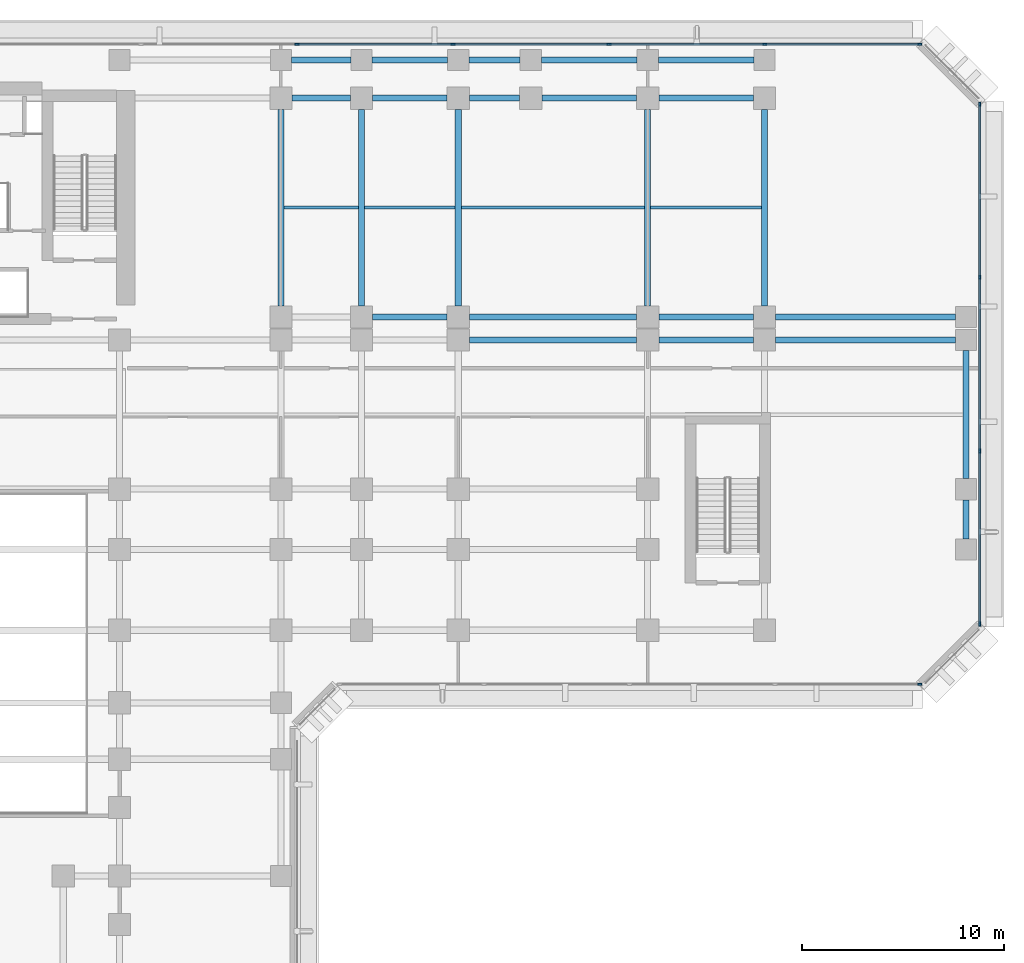
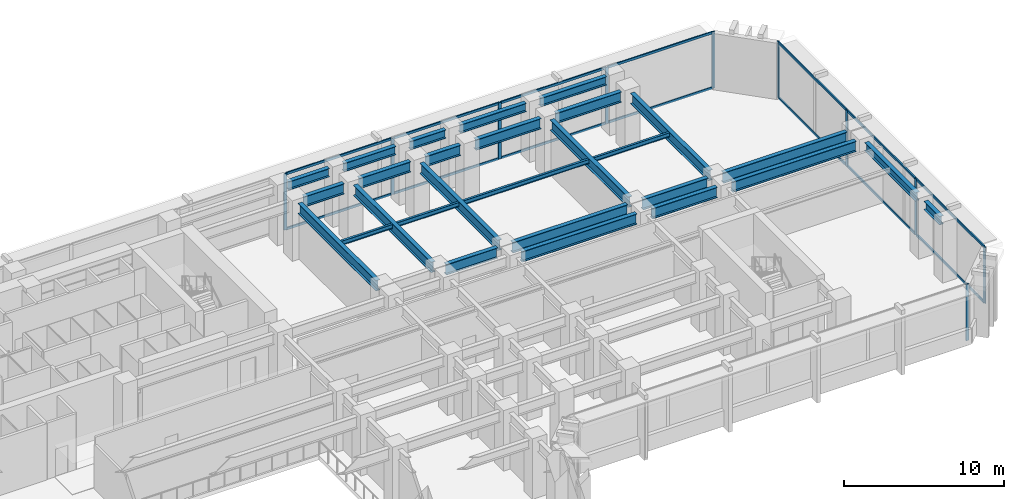
# One storey, part 5 of 16: 28 beams, 24 members, 3 elements without a shape of their own.
"""IFC4 building model written with IfcOpenShell, lengths in metres."""

import ifcopenshell
import ifcopenshell.guid

model = None  # the IFC model being written
_history = None  # IfcOwnerHistory: only IFC2X3 demands one
_inside = {}  # id of a spatial element -> (the spatial element, [elements in it])
_under = {}  # id of a project, library or spatial element -> (it, [spatial elements below it])
_declared = {}  # id of a project -> (the project, [libraries it declares])
_typed = {}  # id of a type object -> (the type object, [elements of that type])
_made_of = {}  # id of a material, layer set ... -> (it, [elements and type objects made of it])


def new_model(schema):
    """Start an empty IFC model of exactly this schema.

    Asked for "IFC4X3", IfcOpenShell would pick the latest addendum, in which some entities
    have other attributes; the version numbers below select the first issue.
    IFC2X3 requires an IfcOwnerHistory on every rooted entity: one is made here for all.
    """
    global model, _history
    if schema == "IFC4X3":
        model = ifcopenshell.file(schema_version=(4, 3, 0, 0))
    else:
        model = ifcopenshell.file(schema=schema)
    _inside.clear()
    _under.clear()
    _declared.clear()
    _typed.clear()
    _made_of.clear()
    _history = None
    if model.schema == "IFC2X3":
        org = make("IfcOrganization", Name="unknown")
        user = make(
            "IfcPersonAndOrganization",
            ThePerson=make("IfcPerson", FamilyName="unknown"),
            TheOrganization=org,
        )
        app = make(
            "IfcApplication",
            ApplicationDeveloper=org,
            Version="unknown",
            ApplicationFullName="unknown",
            ApplicationIdentifier="unknown",
        )
        _history = make(
            "IfcOwnerHistory",
            OwningUser=user,
            OwningApplication=app,
            ChangeAction="ADDED",
            CreationDate=0,
        )
    return model


def make(cls, **values):
    """One entity of the class cls with the attributes given. An attribute that is None is left unset."""
    return model.create_entity(
        cls, **{name: value for name, value in values.items() if value is not None}
    )


def rooted(cls, **values):
    """An entity with a GlobalId (a new one), such as an element, a storey or a relation."""
    return make(cls, GlobalId=ifcopenshell.guid.new(), OwnerHistory=_history, **values)


def si_unit(unit_type, name, prefix=None):
    """IfcSIUnit, for example si_unit("LENGTHUNIT", "METRE", prefix="MILLI")."""
    return make("IfcSIUnit", UnitType=unit_type, Prefix=prefix, Name=name)


def assignment(units):
    """IfcUnitAssignment: the units of a project."""
    return None if units is None else make("IfcUnitAssignment", Units=units)


def point(xyz):
    """IfcCartesianPoint."""
    return None if xyz is None else make("IfcCartesianPoint", Coordinates=xyz)


def direction(xyz):
    """IfcDirection."""
    return None if xyz is None else make("IfcDirection", DirectionRatios=xyz)


def frame(location, z_axis=None, x_axis=None):
    """IfcAxis2Placement3D, a coordinate frame: its origin and axes. An axis left out is left unset."""
    return make(
        "IfcAxis2Placement3D",
        Location=point(location),
        Axis=direction(z_axis),
        RefDirection=direction(x_axis),
    )


def frame_2d(location, x_axis=None):
    """IfcAxis2Placement2D, a coordinate frame in the plane: its origin and x axis."""
    return make(
        "IfcAxis2Placement2D", Location=point(location), RefDirection=direction(x_axis)
    )


def origin():
    """The frame at (0, 0, 0) with its axes left unset."""
    return frame((0.0, 0.0, 0.0))


def origin_2d():
    """The frame at (0, 0) in the plane with its x axis left unset."""
    return frame_2d((0.0, 0.0))


def place(relative_to, where):
    """IfcLocalPlacement: puts the frame where relative to a parent placement (None: the world)."""
    return make(
        "IfcLocalPlacement", PlacementRelTo=relative_to, RelativePlacement=where
    )


def context(
    kind, dimensions, precision=None, world=None, true_north=None, identifier=None
):
    """IfcGeometricRepresentationContext, for example the 3D "Model" context."""
    return make(
        "IfcGeometricRepresentationContext",
        ContextIdentifier=identifier,
        ContextType=kind,
        CoordinateSpaceDimension=dimensions,
        Precision=precision,
        WorldCoordinateSystem=world,
        TrueNorth=true_north,
    )


def subcontext(parent, identifier, kind, view, scale=None):
    """IfcGeometricRepresentationSubContext, for example "Body" below "Model"."""
    return make(
        "IfcGeometricRepresentationSubContext",
        ContextIdentifier=identifier,
        ContextType=kind,
        ParentContext=parent,
        TargetScale=scale,
        TargetView=view,
    )


def project(units=None, contexts=None):
    """IfcProject with its units and contexts."""
    return rooted(
        "IfcProject",
        Name="project",
        RepresentationContexts=contexts,
        UnitsInContext=assignment(units),
    )


def spatial(cls, under=None, at=None, **own):
    """A site, building, storey or space (cls), placed at a placement, below another one or the project."""
    s = rooted(cls, ObjectPlacement=at, **own)
    if under is not None:
        _under.setdefault(under.id(), (under, []))[1].append(s)
    return s


def profile(cls, at=None, kind="AREA", **sizes):
    """A parametric profile (cls). Its sizes go by their IFC names, for example OverallWidth=200.0."""
    return make(cls, ProfileType=kind, Position=at, **sizes)


def rectangle(**sizes):
    """IfcRectangleProfileDef."""
    return profile("IfcRectangleProfileDef", **sizes)


def i_section(**sizes):
    """IfcIShapeProfileDef."""
    return profile("IfcIShapeProfileDef", **sizes)


def extrude(swept, where, along, depth):
    """IfcExtrudedAreaSolid: the profile swept, set in the frame where, extruded along a direction by depth."""
    return make(
        "IfcExtrudedAreaSolid",
        SweptArea=swept,
        Position=where,
        ExtrudedDirection=direction(along),
        Depth=depth,
    )


def shape(context_of_items, identifier, shape_type, items):
    """IfcShapeRepresentation: the items that make up one representation, for example the "Body"."""
    return make(
        "IfcShapeRepresentation",
        ContextOfItems=context_of_items,
        RepresentationIdentifier=identifier,
        RepresentationType=shape_type,
        Items=items,
    )


def material(Name=None, Category=None):
    """IfcMaterial."""
    return make("IfcMaterial", Name=Name, Category=Category)


def layer(
    of_material, thickness, ventilated=None, Name=None, Category=None, Priority=None
):
    """IfcMaterialLayer: one layer of a wall or slab, of a material (None: an air gap)."""
    return make(
        "IfcMaterialLayer",
        Material=of_material,
        LayerThickness=thickness,
        IsVentilated=ventilated,
        Name=Name,
        Category=Category,
        Priority=Priority,
    )


def layer_set(layers, Name=None):
    """IfcMaterialLayerSet."""
    return make("IfcMaterialLayerSet", MaterialLayers=layers, LayerSetName=Name)


def material_profile(
    of_material, cross_section, Name=None, Category=None, Priority=None
):
    """IfcMaterialProfile: a cross section and its material."""
    return make(
        "IfcMaterialProfile",
        Name=Name,
        Material=of_material,
        Profile=cross_section,
        Priority=Priority,
        Category=Category,
    )


def profile_set(profiles, Name=None, composite=None):
    """IfcMaterialProfileSet."""
    return make(
        "IfcMaterialProfileSet",
        Name=Name,
        MaterialProfiles=profiles,
        CompositeProfile=composite,
    )


def made_of(thing, what):
    """Note that an element or type object is made of a material, layer set ...; save() writes the relation."""
    if what is not None:
        _made_of.setdefault(what.id(), (what, []))[1].append(thing)
    return thing


def type_object(cls, material=None, **own):
    """A type object (cls), such as IfcWallType, which elements share."""
    return made_of(rooted(cls, **own), material)


def element(
    cls,
    number,
    at=None,
    inside=None,
    cuts=None,
    type_object=None,
    material=None,
    context=None,
    identifier="Body",
    shape_type=None,
    held_by="IfcProductDefinitionShape",
    body=None,
    shapes=None,
    **own,
):
    """One element of the class cls, such as IfcWall. Its Tag is "e" and its number.

    at: its placement. inside: the storey or other place that contains it. cuts: it is an
    opening in that element (IfcRelVoidsElement). A single representation is given by context,
    identifier, shape_type and body (its items); several are given by shapes. held_by: the class
    of the entity that holds the representations. save() writes the other relations.
    """
    e = rooted(cls, Tag="e%d" % number, ObjectPlacement=at, **own)
    if body is not None:
        shapes = [shape(context, identifier, shape_type, body)]
    if shapes is not None:
        e.Representation = make(held_by, Representations=shapes)
    if inside is not None:
        _inside.setdefault(inside.id(), (inside, []))[1].append(e)
    if cuts is not None:
        rooted(
            "IfcRelVoidsElement", RelatingBuildingElement=cuts, RelatedOpeningElement=e
        )
    if type_object is not None:
        _typed.setdefault(type_object.id(), (type_object, []))[1].append(e)
    return made_of(e, material)


def aggregate(whole, parts):
    """IfcRelAggregates: a whole, such as a stair, and the parts it consists of."""
    return rooted("IfcRelAggregates", RelatingObject=whole, RelatedObjects=parts)


def save(model, path):
    """Write the relations noted so far, then the file.

    IfcRelAggregates (storeys below a building ...), IfcRelContainedInSpatialStructure (elements
    in a storey), IfcRelDefinesByType, IfcRelAssociatesMaterial and IfcRelDeclares: one each for
    every whole, place, type object, material and project.
    """
    for whole, parts in _under.values():
        aggregate(whole, parts)
    for where, things in _inside.values():
        rooted(
            "IfcRelContainedInSpatialStructure",
            RelatedElements=things,
            RelatingStructure=where,
        )
    for kind, things in _typed.values():
        rooted("IfcRelDefinesByType", RelatedObjects=things, RelatingType=kind)
    for what, things in _made_of.values():
        rooted("IfcRelAssociatesMaterial", RelatedObjects=things, RelatingMaterial=what)
    for by, libraries in _declared.values():
        rooted("IfcRelDeclares", RelatingContext=by, RelatedDefinitions=libraries)
    model.write(path)


model = new_model("IFC4")

# Units and contexts
model_context = context("Model", 3, precision=1e-05, world=origin(), true_north=direction((0.0, 1.0)))
body_context = subcontext(model_context, "Body", "Model", "MODEL_VIEW")
ifc_project = project(units=[si_unit("LENGTHUNIT", "METRE"), si_unit("AREAUNIT", "SQUARE_METRE"), si_unit("VOLUMEUNIT", "CUBIC_METRE"), si_unit("PLANEANGLEUNIT", "RADIAN"), si_unit("MASSUNIT", "GRAM", prefix="KILO")], contexts=[model_context])

# Site, building, storey
site_placement = place(None, origin())
site = spatial("IfcSite", under=ifc_project, at=site_placement, CompositionType="ELEMENT")
building_placement = place(site_placement, origin())
building = spatial("IfcBuilding", under=site, at=building_placement, Name="Kefirva Bronze Tower", CompositionType="ELEMENT")
storey_placement = place(building_placement, frame((0.0, 0.0, 16.5)))
storey = spatial("IfcBuildingStorey", under=building, at=storey_placement, Name="L03", CompositionType="ELEMENT", Elevation=16.5)

# Curtain wall, member
ifc_material_1 = material(Name="Bronze anodised aluminium", Category="aluminium")
ifc_layer = layer(ifc_material_1, 0.239990234375, Name="Bronze anodised aluminium")
ifc_layer_set = layer_set([ifc_layer], Name="Bronze anodised aluminium")
curtain_wall_type = type_object("IfcCurtainWallType", Name="Podium Double-Height Glazed Curtain Wall", PredefinedType="USERDEFINED", material=ifc_layer_set)
curtain_wall_1_placement = place(storey_placement, origin())
curtain_wall_1 = element("IfcCurtainWall", 1, at=curtain_wall_1_placement, inside=storey, type_object=curtain_wall_type, Name="L03 Curtain Wall 2", ObjectType="UNITISED CURTAIN WALL", PredefinedType="USERDEFINED")
ifc_material_profile_1 = material_profile(ifc_material_1, rectangle(XDim=0.090087890625, YDim=0.219970703125, at=origin_2d()), Name="ALU 90x220")
ifc_profile_set_1 = profile_set([ifc_material_profile_1], Name="Bronze anodised aluminium")
member_type_1 = type_object("IfcMemberType", Name="Bronze Mullion 90x220", PredefinedType="MULLION", material=ifc_profile_set_1)
member_1_placement = place(storey_placement, frame((62.89990234375, 16.1201171875, 0.0), z_axis=(0.0, 0.0, 1.0), x_axis=(0.0, 1.0, 0.0)))
member_1 = element("IfcMember", 2, at=member_1_placement, type_object=member_type_1, Name="CW-05 mullion 5", PredefinedType="MULLION", context=body_context, shape_type="SweptSolid", body=[
    extrude(rectangle(XDim=0.090087890625, YDim=0.219970703125, at=origin_2d()), origin(), (0.0, 0.0, 1.0), 4.300048828125),
])
aggregate(curtain_wall_1, [member_1])

# Curtain wall, members
curtain_wall_2_placement = place(storey_placement, origin())
curtain_wall_2 = element("IfcCurtainWall", 3, at=curtain_wall_2_placement, inside=storey, type_object=curtain_wall_type, Name="L03 Curtain Wall 3", ObjectType="UNITISED CURTAIN WALL", PredefinedType="USERDEFINED")
member_2_placement = place(storey_placement, frame((65.8798828125, 19.10009765625, 0.0), z_axis=(0.0, 0.0, 1.0), x_axis=(-1.0, 0.0, 0.0)))
member_2 = element("IfcMember", 4, at=member_2_placement, type_object=member_type_1, Name="CW-05 mullion 1", PredefinedType="MULLION", context=body_context, shape_type="SweptSolid", body=[
    extrude(rectangle(XDim=0.090087890625, YDim=0.219970703125, at=origin_2d()), origin(), (0.0, 0.0, 1.0), 4.300048828125),
])
member_3_placement = place(storey_placement, frame((65.8798828125, 27.68505859375, 0.0), z_axis=(0.0, 0.0, 1.0), x_axis=(-1.0, 0.0, 0.0)))
member_3 = element("IfcMember", 5, at=member_3_placement, type_object=member_type_1, Name="CW-05 mullion 2", PredefinedType="MULLION", context=body_context, shape_type="SweptSolid", body=[
    extrude(rectangle(XDim=0.090087890625, YDim=0.219970703125, at=origin_2d()), origin(), (0.0, 0.0, 1.0), 4.300048828125),
])
member_4_placement = place(storey_placement, frame((65.8798828125, 36.31494140625, 0.0), z_axis=(0.0, 0.0, 1.0), x_axis=(-1.0, 0.0, 0.0)))
member_4 = element("IfcMember", 6, at=member_4_placement, type_object=member_type_1, Name="CW-05 mullion 3", PredefinedType="MULLION", context=body_context, shape_type="SweptSolid", body=[
    extrude(rectangle(XDim=0.090087890625, YDim=0.219970703125, at=origin_2d()), origin(), (0.0, 0.0, 1.0), 4.300048828125),
])
member_5_placement = place(storey_placement, frame((65.8798828125, 44.89990234375, 0.0), z_axis=(0.0, 0.0, 1.0), x_axis=(-1.0, 0.0, 0.0)))
member_5 = element("IfcMember", 7, at=member_5_placement, type_object=member_type_1, Name="CW-05 mullion 4", PredefinedType="MULLION", context=body_context, shape_type="SweptSolid", body=[
    extrude(rectangle(XDim=0.090087890625, YDim=0.219970703125, at=origin_2d()), origin(), (0.0, 0.0, 1.0), 4.300048828125),
])

curtain_wall_3_placement = place(storey_placement, origin())
curtain_wall_3 = element("IfcCurtainWall", 8, at=curtain_wall_3_placement, inside=storey, type_object=curtain_wall_type, Name="L03 Curtain Wall 4", ObjectType="UNITISED CURTAIN WALL", PredefinedType="USERDEFINED")
member_6_placement = place(storey_placement, frame((62.89990234375, 47.8798828125, 0.0), z_axis=(0.0, 0.0, 1.0), x_axis=(0.0, -1.0, 0.0)))
member_6 = element("IfcMember", 9, at=member_6_placement, type_object=member_type_1, Name="CW-05 mullion 1", PredefinedType="MULLION", context=body_context, shape_type="SweptSolid", body=[
    extrude(rectangle(XDim=0.090087890625, YDim=0.219970703125, at=origin_2d()), origin(), (0.0, 0.0, 1.0), 4.300048828125),
])
member_7_placement = place(storey_placement, frame((55.208740234375, 47.8798828125, 0.0), z_axis=(0.0, 0.0, 1.0), x_axis=(0.0, -1.0, 0.0)))
member_7 = element("IfcMember", 10, at=member_7_placement, type_object=member_type_1, Name="CW-05 mullion 2", PredefinedType="MULLION", context=body_context, shape_type="SweptSolid", body=[
    extrude(rectangle(XDim=0.090087890625, YDim=0.219970703125, at=origin_2d()), origin(), (0.0, 0.0, 1.0), 4.300048828125),
])
member_8_placement = place(storey_placement, frame((47.472412109375, 47.8798828125, 0.0), z_axis=(0.0, 0.0, 1.0), x_axis=(0.0, -1.0, 0.0)))
member_8 = element("IfcMember", 11, at=member_8_placement, type_object=member_type_1, Name="CW-05 mullion 3", PredefinedType="MULLION", context=body_context, shape_type="SweptSolid", body=[
    extrude(rectangle(XDim=0.090087890625, YDim=0.219970703125, at=origin_2d()), origin(), (0.0, 0.0, 1.0), 4.300048828125),
])
member_9_placement = place(storey_placement, frame((39.736328125, 47.8798828125, 0.0), z_axis=(0.0, 0.0, 1.0), x_axis=(0.0, -1.0, 0.0)))
member_9 = element("IfcMember", 12, at=member_9_placement, type_object=member_type_1, Name="CW-05 mullion 4", PredefinedType="MULLION", context=body_context, shape_type="SweptSolid", body=[
    extrude(rectangle(XDim=0.090087890625, YDim=0.219970703125, at=origin_2d()), origin(), (0.0, 0.0, 1.0), 4.300048828125),
])
member_10_placement = place(storey_placement, frame((32.0, 47.8798828125, 0.0), z_axis=(0.0, 0.0, 1.0), x_axis=(0.0, -1.0, 0.0)))
member_10 = element("IfcMember", 13, at=member_10_placement, type_object=member_type_1, Name="CW-05 mullion 5", PredefinedType="MULLION", context=body_context, shape_type="SweptSolid", body=[
    extrude(rectangle(XDim=0.090087890625, YDim=0.219970703125, at=origin_2d()), origin(), (0.0, 0.0, 1.0), 4.300048828125),
])

# Member
ifc_material_profile_2 = material_profile(ifc_material_1, rectangle(XDim=0.090087890625, YDim=0.179931640625, at=origin_2d()), Name="ALU 90x180")
ifc_profile_set_2 = profile_set([ifc_material_profile_2], Name="Bronze anodised aluminium")
member_type_2 = type_object("IfcMemberType", Name="Bronze Transom 90x180", PredefinedType="USERDEFINED", material=ifc_profile_set_2)
member_11_placement = place(storey_placement, frame((65.8798828125, 19.14501953125, 0.044921875), z_axis=(0.0, 1.0, 0.0), x_axis=(-1.0, 0.0, 0.0)))
member_11 = element("IfcMember", 14, at=member_11_placement, type_object=member_type_2, Name="CW-05 transom 1.1", ObjectType="TRANSOM", PredefinedType="USERDEFINED", context=body_context, shape_type="SweptSolid", body=[
    extrude(rectangle(XDim=0.090087890625, YDim=0.179931640625, at=origin_2d()), origin(), (0.0, 0.0, 1.0), 8.494873046875),
])

member_12_placement = place(storey_placement, frame((65.8798828125, 19.14501953125, 4.2548828125), z_axis=(0.0, 1.0, 0.0), x_axis=(-1.0, 0.0, 0.0)))
member_12 = element("IfcMember", 15, at=member_12_placement, type_object=member_type_2, Name="CW-05 transom 1.2", ObjectType="TRANSOM", PredefinedType="USERDEFINED", context=body_context, shape_type="SweptSolid", body=[
    extrude(rectangle(XDim=0.090087890625, YDim=0.179931640625, at=origin_2d()), origin(), (0.0, 0.0, 1.0), 8.494873046875),
])

member_13_placement = place(storey_placement, frame((65.8798828125, 27.72998046875, 0.044921875), z_axis=(0.0, 1.0, 0.0), x_axis=(-1.0, 0.0, 0.0)))
member_13 = element("IfcMember", 16, at=member_13_placement, type_object=member_type_2, Name="CW-05 transom 2.1", ObjectType="TRANSOM", PredefinedType="USERDEFINED", context=body_context, shape_type="SweptSolid", body=[
    extrude(rectangle(XDim=0.090087890625, YDim=0.179931640625, at=origin_2d()), origin(), (0.0, 0.0, 1.0), 8.5400390625),
])

member_14_placement = place(storey_placement, frame((65.8798828125, 27.72998046875, 4.2548828125), z_axis=(0.0, 1.0, 0.0), x_axis=(-1.0, 0.0, 0.0)))
member_14 = element("IfcMember", 17, at=member_14_placement, type_object=member_type_2, Name="CW-05 transom 2.2", ObjectType="TRANSOM", PredefinedType="USERDEFINED", context=body_context, shape_type="SweptSolid", body=[
    extrude(rectangle(XDim=0.090087890625, YDim=0.179931640625, at=origin_2d()), origin(), (0.0, 0.0, 1.0), 8.5400390625),
])

member_15_placement = place(storey_placement, frame((65.8798828125, 36.360107421875, 0.044921875), z_axis=(0.0, 1.0, 0.0), x_axis=(-1.0, 0.0, 0.0)))
member_15 = element("IfcMember", 18, at=member_15_placement, type_object=member_type_2, Name="CW-05 transom 3.1", ObjectType="TRANSOM", PredefinedType="USERDEFINED", context=body_context, shape_type="SweptSolid", body=[
    extrude(rectangle(XDim=0.090087890625, YDim=0.179931640625, at=origin_2d()), origin(), (0.0, 0.0, 1.0), 8.494873046875),
])

member_16_placement = place(storey_placement, frame((65.8798828125, 36.360107421875, 4.2548828125), z_axis=(0.0, 1.0, 0.0), x_axis=(-1.0, 0.0, 0.0)))
member_16 = element("IfcMember", 19, at=member_16_placement, type_object=member_type_2, Name="CW-05 transom 3.2", ObjectType="TRANSOM", PredefinedType="USERDEFINED", context=body_context, shape_type="SweptSolid", body=[
    extrude(rectangle(XDim=0.090087890625, YDim=0.179931640625, at=origin_2d()), origin(), (0.0, 0.0, 1.0), 8.494873046875),
])

aggregate(curtain_wall_2, [member_2, member_3, member_4, member_5, member_11, member_12, member_13, member_14, member_15, member_16])

member_17_placement = place(storey_placement, frame((62.85498046875, 47.8798828125, 0.044921875), z_axis=(-1.0, 0.0, 0.0), x_axis=(0.0, -1.0, 0.0)))
member_17 = element("IfcMember", 20, at=member_17_placement, type_object=member_type_2, Name="CW-05 transom 1.1", ObjectType="TRANSOM", PredefinedType="USERDEFINED", context=body_context, shape_type="SweptSolid", body=[
    extrude(rectangle(XDim=0.090087890625, YDim=0.179931640625, at=origin_2d()), origin(), (0.0, 0.0, 1.0), 7.601318359375),
])

member_18_placement = place(storey_placement, frame((62.85498046875, 47.8798828125, 4.2548828125), z_axis=(-1.0, 0.0, 0.0), x_axis=(0.0, -1.0, 0.0)))
member_18 = element("IfcMember", 21, at=member_18_placement, type_object=member_type_2, Name="CW-05 transom 1.2", ObjectType="TRANSOM", PredefinedType="USERDEFINED", context=body_context, shape_type="SweptSolid", body=[
    extrude(rectangle(XDim=0.090087890625, YDim=0.179931640625, at=origin_2d()), origin(), (0.0, 0.0, 1.0), 7.601318359375),
])

member_19_placement = place(storey_placement, frame((55.163818359375, 47.8798828125, 0.044921875), z_axis=(-1.0, 0.0, 0.0), x_axis=(0.0, -1.0, 0.0)))
member_19 = element("IfcMember", 22, at=member_19_placement, type_object=member_type_2, Name="CW-05 transom 2.1", ObjectType="TRANSOM", PredefinedType="USERDEFINED", context=body_context, shape_type="SweptSolid", body=[
    extrude(rectangle(XDim=0.090087890625, YDim=0.179931640625, at=origin_2d()), origin(), (0.0, 0.0, 1.0), 7.646240234375),
])

member_20_placement = place(storey_placement, frame((55.163818359375, 47.8798828125, 4.2548828125), z_axis=(-1.0, 0.0, 0.0), x_axis=(0.0, -1.0, 0.0)))
member_20 = element("IfcMember", 23, at=member_20_placement, type_object=member_type_2, Name="CW-05 transom 2.2", ObjectType="TRANSOM", PredefinedType="USERDEFINED", context=body_context, shape_type="SweptSolid", body=[
    extrude(rectangle(XDim=0.090087890625, YDim=0.179931640625, at=origin_2d()), origin(), (0.0, 0.0, 1.0), 7.646240234375),
])

member_21_placement = place(storey_placement, frame((47.427490234375, 47.8798828125, 0.044921875), z_axis=(-1.0, 0.0, 0.0), x_axis=(0.0, -1.0, 0.0)))
member_21 = element("IfcMember", 24, at=member_21_placement, type_object=member_type_2, Name="CW-05 transom 3.1", ObjectType="TRANSOM", PredefinedType="USERDEFINED", context=body_context, shape_type="SweptSolid", body=[
    extrude(rectangle(XDim=0.090087890625, YDim=0.179931640625, at=origin_2d()), origin(), (0.0, 0.0, 1.0), 7.646240234375),
])

member_22_placement = place(storey_placement, frame((47.427490234375, 47.8798828125, 4.2548828125), z_axis=(-1.0, 0.0, 0.0), x_axis=(0.0, -1.0, 0.0)))
member_22 = element("IfcMember", 25, at=member_22_placement, type_object=member_type_2, Name="CW-05 transom 3.2", ObjectType="TRANSOM", PredefinedType="USERDEFINED", context=body_context, shape_type="SweptSolid", body=[
    extrude(rectangle(XDim=0.090087890625, YDim=0.179931640625, at=origin_2d()), origin(), (0.0, 0.0, 1.0), 7.646240234375),
])

member_23_placement = place(storey_placement, frame((39.691162109375, 47.8798828125, 0.044921875), z_axis=(-1.0, 0.0, 0.0), x_axis=(0.0, -1.0, 0.0)))
member_23 = element("IfcMember", 26, at=member_23_placement, type_object=member_type_2, Name="CW-05 transom 4.1", ObjectType="TRANSOM", PredefinedType="USERDEFINED", context=body_context, shape_type="SweptSolid", body=[
    extrude(rectangle(XDim=0.090087890625, YDim=0.179931640625, at=origin_2d()), origin(), (0.0, 0.0, 1.0), 7.646240234375),
])

member_24_placement = place(storey_placement, frame((39.691162109375, 47.8798828125, 4.2548828125), z_axis=(-1.0, 0.0, 0.0), x_axis=(0.0, -1.0, 0.0)))
member_24 = element("IfcMember", 27, at=member_24_placement, type_object=member_type_2, Name="CW-05 transom 4.2", ObjectType="TRANSOM", PredefinedType="USERDEFINED", context=body_context, shape_type="SweptSolid", body=[
    extrude(rectangle(XDim=0.090087890625, YDim=0.179931640625, at=origin_2d()), origin(), (0.0, 0.0, 1.0), 7.646240234375),
])

aggregate(curtain_wall_3, [member_6, member_7, member_8, member_9, member_10, member_17, member_18, member_19, member_20, member_21, member_22, member_23, member_24])

# Beams
ifc_material_2 = material(Name="Steel S355", Category="steel")
ifc_material_profile_3 = material_profile(ifc_material_2, i_section(OverallWidth=0.159912109375, OverallDepth=0.330078125, WebThickness=0.007568359375, FlangeThickness=0.011474609375, at=origin_2d()), Name="IPE 330")
ifc_profile_set_3 = profile_set([ifc_material_profile_3], Name="Steel S355")
beam_type_1 = type_object("IfcBeamType", Name="Steel Floor Joist IPE 330", PredefinedType="JOIST", material=ifc_profile_set_3)
beam_1_placement = place(storey_placement, frame((31.35009765625, 39.77490234375, 4.135009765625), z_axis=(1.0, 0.0, 0.0), x_axis=(0.0, 1.0, 0.0)))
element("IfcBeam", 28, at=beam_1_placement, inside=storey, type_object=beam_type_1, Name="L03 JST-L03-31-397", PredefinedType="JOIST", context=body_context, shape_type="SweptSolid", body=[
    extrude(i_section(OverallWidth=0.159912109375, OverallDepth=0.330078125, WebThickness=0.007568359375, FlangeThickness=0.011474609375, at=origin_2d()), origin(), (0.0, 0.0, 1.0), 3.699951171875),
])
beam_2_placement = place(storey_placement, frame((35.35009765625, 39.77490234375, 4.135009765625), z_axis=(1.0, 0.0, 0.0), x_axis=(0.0, 1.0, 0.0)))
element("IfcBeam", 29, at=beam_2_placement, inside=storey, type_object=beam_type_1, Name="L03 JST-L03-35-397", PredefinedType="JOIST", context=body_context, shape_type="SweptSolid", body=[
    extrude(i_section(OverallWidth=0.159912109375, OverallDepth=0.330078125, WebThickness=0.007568359375, FlangeThickness=0.011474609375, at=origin_2d()), origin(), (0.0, 0.0, 1.0), 4.5),
])
beam_3_placement = place(storey_placement, frame((40.14990234375, 39.77490234375, 4.135009765625), z_axis=(1.0, 0.0, 0.0), x_axis=(0.0, 1.0, 0.0)))
element("IfcBeam", 30, at=beam_3_placement, inside=storey, type_object=beam_type_1, Name="L03 JST-L03-40-397", PredefinedType="JOIST", context=body_context, shape_type="SweptSolid", body=[
    extrude(i_section(OverallWidth=0.159912109375, OverallDepth=0.330078125, WebThickness=0.007568359375, FlangeThickness=0.011474609375, at=origin_2d()), origin(), (0.0, 0.0, 1.0), 9.10009765625),
])
beam_4_placement = place(storey_placement, frame((49.550048828125, 39.77490234375, 4.135009765625), z_axis=(1.0, 0.0, 0.0), x_axis=(0.0, 1.0, 0.0)))
element("IfcBeam", 31, at=beam_4_placement, inside=storey, type_object=beam_type_1, Name="L03 JST-L03-49-397", PredefinedType="JOIST", context=body_context, shape_type="SweptSolid", body=[
    extrude(i_section(OverallWidth=0.159912109375, OverallDepth=0.330078125, WebThickness=0.007568359375, FlangeThickness=0.011474609375, at=origin_2d()), origin(), (0.0, 0.0, 1.0), 5.5),
])
ifc_material_profile_4 = material_profile(ifc_material_2, i_section(OverallWidth=0.300048828125, OverallDepth=0.800048828125, WebThickness=0.017578125, FlangeThickness=0.032958984375, at=origin_2d()), Name="HEB 800")
ifc_profile_set_4 = profile_set([ifc_material_profile_4], Name="Steel S355")
beam_type_2 = type_object("IfcBeamType", Name="Steel Girder HEB 800", PredefinedType="USERDEFINED", material=ifc_profile_set_4)
beam_5_placement = place(storey_placement, frame((40.550048828125, 33.199951171875, 3.89990234375), z_axis=(1.0, 0.0, 0.0), x_axis=(0.0, 1.0, 0.0)))
element("IfcBeam", 32, at=beam_5_placement, inside=storey, type_object=beam_type_2, Name="L03 BM-L03-EW-40-332", ObjectType="GIRDER", PredefinedType="USERDEFINED", context=body_context, shape_type="SweptSolid", body=[
    extrude(i_section(OverallWidth=0.300048828125, OverallDepth=0.800048828125, WebThickness=0.017578125, FlangeThickness=0.032958984375, at=origin_2d()), origin(), (0.0, 0.0, 1.0), 8.300048828125),
])
beam_6_placement = place(storey_placement, frame((49.949951171875, 33.199951171875, 3.89990234375), z_axis=(1.0, 0.0, 0.0), x_axis=(0.0, 1.0, 0.0)))
element("IfcBeam", 33, at=beam_6_placement, inside=storey, type_object=beam_type_2, Name="L03 BM-L03-EW-49-332", ObjectType="GIRDER", PredefinedType="USERDEFINED", context=body_context, shape_type="SweptSolid", body=[
    extrude(i_section(OverallWidth=0.300048828125, OverallDepth=0.800048828125, WebThickness=0.017578125, FlangeThickness=0.032958984375, at=origin_2d()), origin(), (0.0, 0.0, 1.0), 4.699951171875),
])
beam_7_placement = place(storey_placement, frame((55.75, 33.199951171875, 3.89990234375), z_axis=(1.0, 0.0, 0.0), x_axis=(0.0, 1.0, 0.0)))
element("IfcBeam", 34, at=beam_7_placement, inside=storey, type_object=beam_type_2, Name="L03 BM-L03-EW-55-332", ObjectType="GIRDER", PredefinedType="USERDEFINED", context=body_context, shape_type="SweptSolid", body=[
    extrude(i_section(OverallWidth=0.300048828125, OverallDepth=0.800048828125, WebThickness=0.017578125, FlangeThickness=0.032958984375, at=origin_2d()), origin(), (0.0, 0.0, 1.0), 8.925048828125),
])
beam_8_placement = place(storey_placement, frame((35.75, 34.35009765625, 3.89990234375), z_axis=(1.0, 0.0, 0.0), x_axis=(0.0, 1.0, 0.0)))
element("IfcBeam", 35, at=beam_8_placement, inside=storey, type_object=beam_type_2, Name="L03 BM-L03-EW-35-344", ObjectType="GIRDER", PredefinedType="USERDEFINED", context=body_context, shape_type="SweptSolid", body=[
    extrude(i_section(OverallWidth=0.300048828125, OverallDepth=0.800048828125, WebThickness=0.017578125, FlangeThickness=0.032958984375, at=origin_2d()), origin(), (0.0, 0.0, 1.0), 3.699951171875),
])
beam_9_placement = place(storey_placement, frame((40.550048828125, 34.35009765625, 3.89990234375), z_axis=(1.0, 0.0, 0.0), x_axis=(0.0, 1.0, 0.0)))
element("IfcBeam", 36, at=beam_9_placement, inside=storey, type_object=beam_type_2, Name="L03 BM-L03-EW-40-344", ObjectType="GIRDER", PredefinedType="USERDEFINED", context=body_context, shape_type="SweptSolid", body=[
    extrude(i_section(OverallWidth=0.300048828125, OverallDepth=0.800048828125, WebThickness=0.017578125, FlangeThickness=0.032958984375, at=origin_2d()), origin(), (0.0, 0.0, 1.0), 8.300048828125),
])
beam_10_placement = place(storey_placement, frame((49.949951171875, 34.35009765625, 3.89990234375), z_axis=(1.0, 0.0, 0.0), x_axis=(0.0, 1.0, 0.0)))
element("IfcBeam", 37, at=beam_10_placement, inside=storey, type_object=beam_type_2, Name="L03 BM-L03-EW-49-344", ObjectType="GIRDER", PredefinedType="USERDEFINED", context=body_context, shape_type="SweptSolid", body=[
    extrude(i_section(OverallWidth=0.300048828125, OverallDepth=0.800048828125, WebThickness=0.017578125, FlangeThickness=0.032958984375, at=origin_2d()), origin(), (0.0, 0.0, 1.0), 4.699951171875),
])
beam_11_placement = place(storey_placement, frame((55.75, 34.35009765625, 3.89990234375), z_axis=(1.0, 0.0, 0.0), x_axis=(0.0, 1.0, 0.0)))
element("IfcBeam", 38, at=beam_11_placement, inside=storey, type_object=beam_type_2, Name="L03 BM-L03-EW-55-344", ObjectType="GIRDER", PredefinedType="USERDEFINED", context=body_context, shape_type="SweptSolid", body=[
    extrude(i_section(OverallWidth=0.300048828125, OverallDepth=0.800048828125, WebThickness=0.017578125, FlangeThickness=0.032958984375, at=origin_2d()), origin(), (0.0, 0.0, 1.0), 8.925048828125),
])
beam_12_placement = place(storey_placement, frame((31.75, 45.199951171875, 3.89990234375), z_axis=(1.0, 0.0, 0.0), x_axis=(0.0, 1.0, 0.0)))
element("IfcBeam", 39, at=beam_12_placement, inside=storey, type_object=beam_type_2, Name="L03 BM-L03-EW-31-452", ObjectType="GIRDER", PredefinedType="USERDEFINED", context=body_context, shape_type="SweptSolid", body=[
    extrude(i_section(OverallWidth=0.300048828125, OverallDepth=0.800048828125, WebThickness=0.017578125, FlangeThickness=0.032958984375, at=origin_2d()), origin(), (0.0, 0.0, 1.0), 2.89990234375),
])
beam_13_placement = place(storey_placement, frame((35.75, 45.199951171875, 3.89990234375), z_axis=(1.0, 0.0, 0.0), x_axis=(0.0, 1.0, 0.0)))
element("IfcBeam", 40, at=beam_13_placement, inside=storey, type_object=beam_type_2, Name="L03 BM-L03-EW-35-452", ObjectType="GIRDER", PredefinedType="USERDEFINED", context=body_context, shape_type="SweptSolid", body=[
    extrude(i_section(OverallWidth=0.300048828125, OverallDepth=0.800048828125, WebThickness=0.017578125, FlangeThickness=0.032958984375, at=origin_2d()), origin(), (0.0, 0.0, 1.0), 3.699951171875),
])
beam_14_placement = place(storey_placement, frame((40.550048828125, 45.199951171875, 3.89990234375), z_axis=(1.0, 0.0, 0.0), x_axis=(0.0, 1.0, 0.0)))
element("IfcBeam", 41, at=beam_14_placement, inside=storey, type_object=beam_type_2, Name="L03 BM-L03-EW-40-452", ObjectType="GIRDER", PredefinedType="USERDEFINED", context=body_context, shape_type="SweptSolid", body=[
    extrude(i_section(OverallWidth=0.300048828125, OverallDepth=0.800048828125, WebThickness=0.017578125, FlangeThickness=0.032958984375, at=origin_2d()), origin(), (0.0, 0.0, 1.0), 2.5),
])
beam_15_placement = place(storey_placement, frame((44.14990234375, 45.199951171875, 3.89990234375), z_axis=(1.0, 0.0, 0.0), x_axis=(0.0, 1.0, 0.0)))
element("IfcBeam", 42, at=beam_15_placement, inside=storey, type_object=beam_type_2, Name="L03 BM-L03-EW-43-452", ObjectType="GIRDER", PredefinedType="USERDEFINED", context=body_context, shape_type="SweptSolid", body=[
    extrude(i_section(OverallWidth=0.300048828125, OverallDepth=0.800048828125, WebThickness=0.017578125, FlangeThickness=0.032958984375, at=origin_2d()), origin(), (0.0, 0.0, 1.0), 4.7001953125),
])
beam_16_placement = place(storey_placement, frame((49.949951171875, 45.199951171875, 3.89990234375), z_axis=(1.0, 0.0, 0.0), x_axis=(0.0, 1.0, 0.0)))
element("IfcBeam", 43, at=beam_16_placement, inside=storey, type_object=beam_type_2, Name="L03 BM-L03-EW-49-452", ObjectType="GIRDER", PredefinedType="USERDEFINED", context=body_context, shape_type="SweptSolid", body=[
    extrude(i_section(OverallWidth=0.300048828125, OverallDepth=0.800048828125, WebThickness=0.017578125, FlangeThickness=0.032958984375, at=origin_2d()), origin(), (0.0, 0.0, 1.0), 4.699951171875),
])
for number, where, z_axis, x_axis, name in (
    (44, (31.199951171875, 34.89990234375, 3.89990234375), (0.0, 1.0, 0.0), (-1.0, 0.0, 0.0), "L03 BM-L03-NS-312-34"),
    (45, (35.199951171875, 34.89990234375, 3.89990234375), (0.0, 1.0, 0.0), (-1.0, 0.0, 0.0), "L03 BM-L03-NS-352-34"),
    (46, (40.0, 34.89990234375, 3.89990234375), (0.0, 1.0, 0.0), (-1.0, 0.0, 0.0), "L03 BM-L03-NS-400-34"),
    (47, (49.39990234375, 34.89990234375, 3.89990234375), (0.0, 1.0, 0.0), (-1.0, 0.0, 0.0), "L03 BM-L03-NS-494-34"),
    (48, (55.199951171875, 34.89990234375, 3.89990234375), (0.0, 1.0, 0.0), (-1.0, 0.0, 0.0), "L03 BM-L03-NS-552-34"),
):
    element("IfcBeam", number, at=place(storey_placement, frame(where, z_axis=z_axis, x_axis=x_axis)), inside=storey, type_object=beam_type_2, Name=name, ObjectType="GIRDER", PredefinedType="USERDEFINED", context=body_context, shape_type="SweptSolid", body=[
        extrude(i_section(OverallWidth=0.300048828125, OverallDepth=0.800048828125, WebThickness=0.017578125, FlangeThickness=0.032958984375, at=origin_2d()), origin(), (0.0, 0.0, 1.0), 9.75),
    ])
ifc_material_profile_5 = material_profile(ifc_material_2, i_section(OverallWidth=0.300048828125, OverallDepth=0.64990234375, WebThickness=0.01611328125, FlangeThickness=0.031005859375, at=origin_2d()), Name="HEB 650")
ifc_profile_set_5 = profile_set([ifc_material_profile_5], Name="Steel S355")
beam_type_3 = type_object("IfcBeamType", Name="Steel Spandrel HEB 650 Ext", PredefinedType="SPANDREL", material=ifc_profile_set_5)
beam_17_placement = place(storey_placement, frame((31.72509765625, 47.10009765625, 3.97509765625), z_axis=(1.0, 0.0, 0.0), x_axis=(0.0, 1.0, 0.0)))
element("IfcBeam", 49, at=beam_17_placement, inside=storey, type_object=beam_type_3, Name="L03 BM-L03-EW-31-471", PredefinedType="SPANDREL", context=body_context, shape_type="SweptSolid", body=[
    extrude(i_section(OverallWidth=0.300048828125, OverallDepth=0.64990234375, WebThickness=0.01611328125, FlangeThickness=0.031005859375, at=origin_2d()), origin(), (0.0, 0.0, 1.0), 2.949951171875),
])
beam_18_placement = place(storey_placement, frame((35.72509765625, 47.10009765625, 3.97509765625), z_axis=(1.0, 0.0, 0.0), x_axis=(0.0, 1.0, 0.0)))
element("IfcBeam", 50, at=beam_18_placement, inside=storey, type_object=beam_type_3, Name="L03 BM-L03-EW-35-471", PredefinedType="SPANDREL", context=body_context, shape_type="SweptSolid", body=[
    extrude(i_section(OverallWidth=0.300048828125, OverallDepth=0.64990234375, WebThickness=0.01611328125, FlangeThickness=0.031005859375, at=origin_2d()), origin(), (0.0, 0.0, 1.0), 3.75),
])
beam_19_placement = place(storey_placement, frame((40.52490234375, 47.10009765625, 3.97509765625), z_axis=(1.0, 0.0, 0.0), x_axis=(0.0, 1.0, 0.0)))
element("IfcBeam", 51, at=beam_19_placement, inside=storey, type_object=beam_type_3, Name="L03 BM-L03-EW-40-471", PredefinedType="SPANDREL", context=body_context, shape_type="SweptSolid", body=[
    extrude(i_section(OverallWidth=0.300048828125, OverallDepth=0.64990234375, WebThickness=0.01611328125, FlangeThickness=0.031005859375, at=origin_2d()), origin(), (0.0, 0.0, 1.0), 2.550048828125),
])
for number, where, z_axis, x_axis, name in (
    (52, (44.125, 47.10009765625, 3.97509765625), (1.0, 0.0, 0.0), (0.0, 1.0, 0.0), "L03 BM-L03-EW-43-471"),
    (53, (49.925048828125, 47.10009765625, 3.97509765625), (1.0, 0.0, 0.0), (0.0, 1.0, 0.0), "L03 BM-L03-EW-49-471"),
):
    element("IfcBeam", number, at=place(storey_placement, frame(where, z_axis=z_axis, x_axis=x_axis)), inside=storey, type_object=beam_type_3, Name=name, PredefinedType="SPANDREL", context=body_context, shape_type="SweptSolid", body=[
        extrude(i_section(OverallWidth=0.300048828125, OverallDepth=0.64990234375, WebThickness=0.01611328125, FlangeThickness=0.031005859375, at=origin_2d()), origin(), (0.0, 0.0, 1.0), 4.75),
    ])
beam_20_placement = place(storey_placement, frame((65.199951171875, 23.324951171875, 3.97509765625), z_axis=(0.0, 1.0, 0.0), x_axis=(-1.0, 0.0, 0.0)))
element("IfcBeam", 54, at=beam_20_placement, inside=storey, type_object=beam_type_3, Name="L03 BM-L03-NS-652-22", PredefinedType="SPANDREL", context=body_context, shape_type="SweptSolid", body=[
    extrude(i_section(OverallWidth=0.300048828125, OverallDepth=0.64990234375, WebThickness=0.01611328125, FlangeThickness=0.031005859375, at=origin_2d()), origin(), (0.0, 0.0, 1.0), 1.949951171875),
])
beam_21_placement = place(storey_placement, frame((65.199951171875, 26.324951171875, 3.97509765625), z_axis=(0.0, 1.0, 0.0), x_axis=(-1.0, 0.0, 0.0)))
element("IfcBeam", 55, at=beam_21_placement, inside=storey, type_object=beam_type_3, Name="L03 BM-L03-NS-652-25", PredefinedType="SPANDREL", context=body_context, shape_type="SweptSolid", body=[
    extrude(i_section(OverallWidth=0.300048828125, OverallDepth=0.64990234375, WebThickness=0.01611328125, FlangeThickness=0.031005859375, at=origin_2d()), origin(), (0.0, 0.0, 1.0), 6.35009765625),
])

save(model, "model.ifc")
